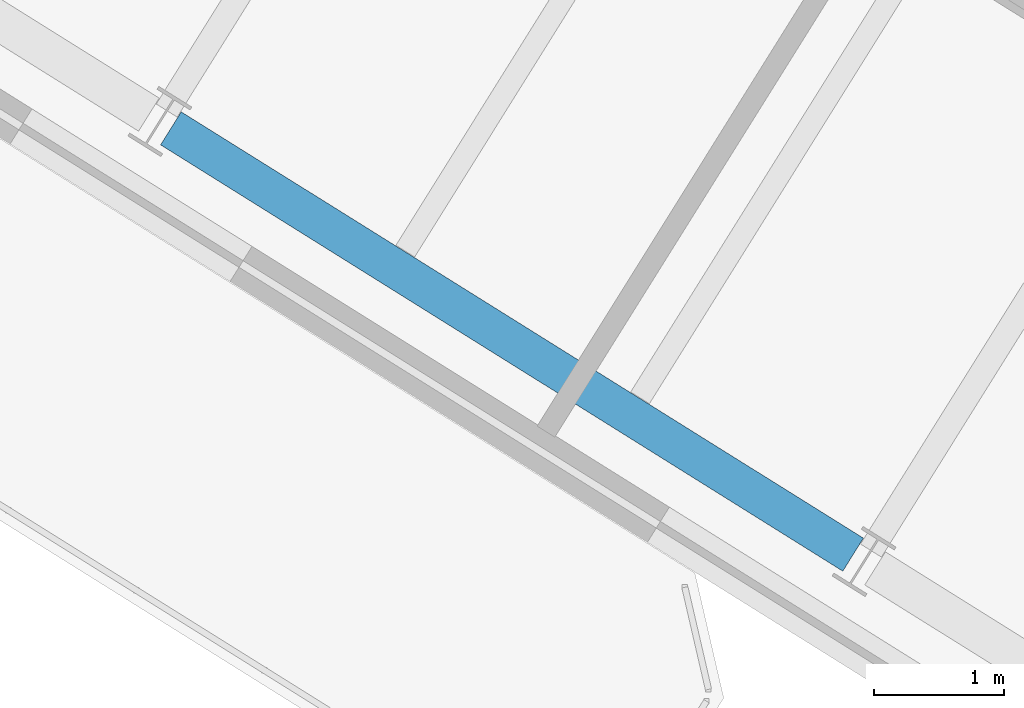
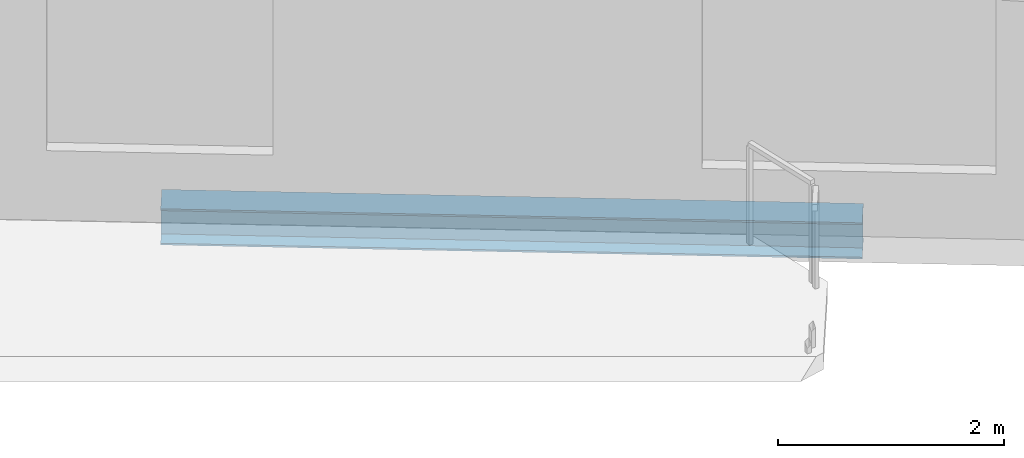
# One storey, part 5 of 27: 1 beam.
"""IFC4 building model written with IfcOpenShell, lengths in metres."""

from ifc_helpers import new_model, si_unit, direction, frame, origin, origin_2d, place, context, subcontext, project, spatial, i_section, extrude, source, transform, mapped, material, material_profile, profile_set, type_object, element, save


model = new_model("IFC4")

# Units and contexts
model_context = context("Model", 3, precision=1e-05, world=origin(), true_north=direction((0.0, 1.0)))
body_context = subcontext(model_context, "Body", "Model", "MODEL_VIEW")
ifc_project = project(units=[si_unit("LENGTHUNIT", "METRE"), si_unit("AREAUNIT", "SQUARE_METRE"), si_unit("VOLUMEUNIT", "CUBIC_METRE"), si_unit("PLANEANGLEUNIT", "RADIAN"), si_unit("MASSUNIT", "GRAM", prefix="KILO")], contexts=[model_context])

# Site, building, storey
site_placement = place(None, origin())
site = spatial("IfcSite", under=ifc_project, at=site_placement, CompositionType="ELEMENT")
building_placement = place(site_placement, origin())
building = spatial("IfcBuilding", under=site, at=building_placement, Name="Tlacorven Tower", CompositionType="ELEMENT")
storey_placement = place(building_placement, frame((0.0, 0.0, 254.699951171875)))
storey = spatial("IfcBuildingStorey", under=building, at=storey_placement, Name="L64", CompositionType="ELEMENT", Elevation=254.699951171875)

# Beam
ifc_material = material(Name="Steel S355J2", Category="steel")
ifc_material_profile = material_profile(ifc_material, i_section(OverallWidth=0.300048828125, OverallDepth=0.389892578125, WebThickness=0.010986328125, FlangeThickness=0.01904296875, at=origin_2d()), Name="HEA 400")
ifc_profile_set = profile_set([ifc_material_profile], Name="Steel S355J2")
beam_type = type_object("IfcBeamType", Name="BM-SPN-400", PredefinedType="SPANDREL", material=ifc_profile_set)
shared_shape = source(origin(), body_context, "Body", "SweptSolid", [
    extrude(i_section(OverallWidth=0.300048828125, OverallDepth=0.389892578125, WebThickness=0.010986328125, FlangeThickness=0.01904296875, at=origin_2d()), origin(), (0.0, 0.0, 1.0), 6.199951171875),
])
beam_placement = place(storey_placement, frame((18.82080078125, 13.6650390625, -0.474853515625), z_axis=(-0.848051394107, 0.529913986372, 0.0), x_axis=(-0.529913986372, -0.848051394107, 0.0)))
element("IfcBeam", 1, at=beam_placement, inside=storey, type_object=beam_type, Name="L64 beam BM-L64-WL4-3", PredefinedType="SPANDREL", context=body_context, shape_type="MappedRepresentation", body=[
    mapped(shared_shape, transform((0.0, 0.0, 0.0), scale=1.0)),
])

save(model, "model.ifc")
